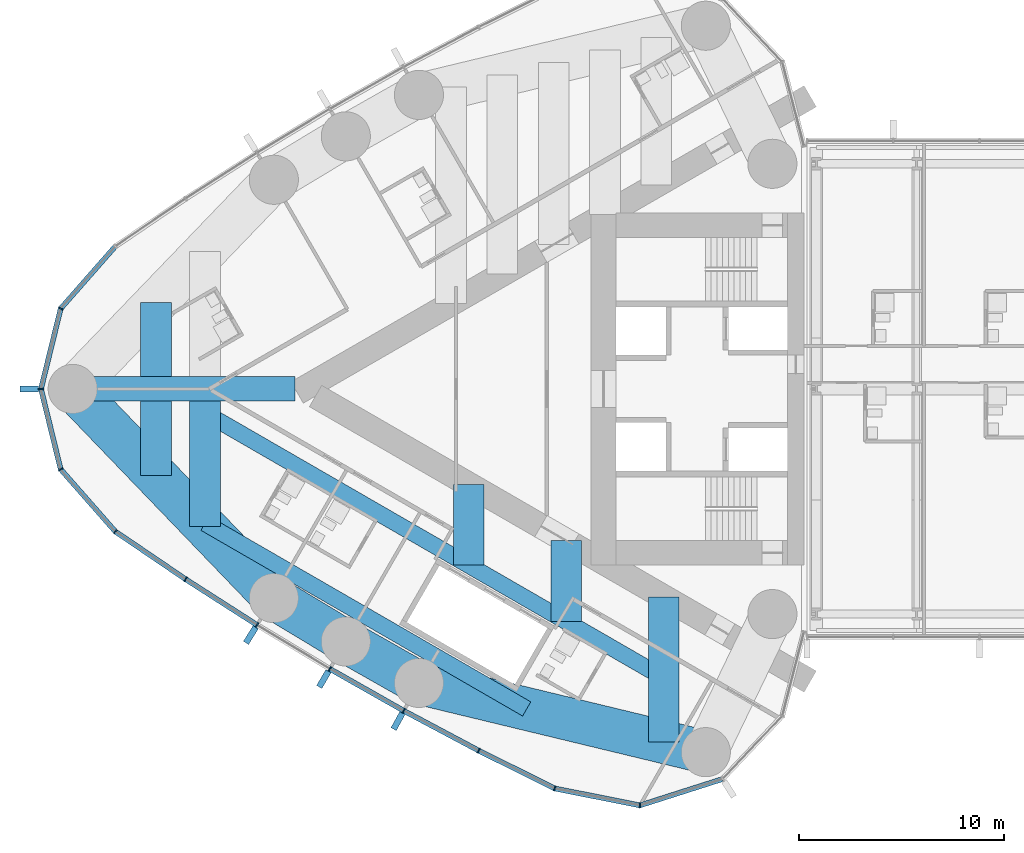
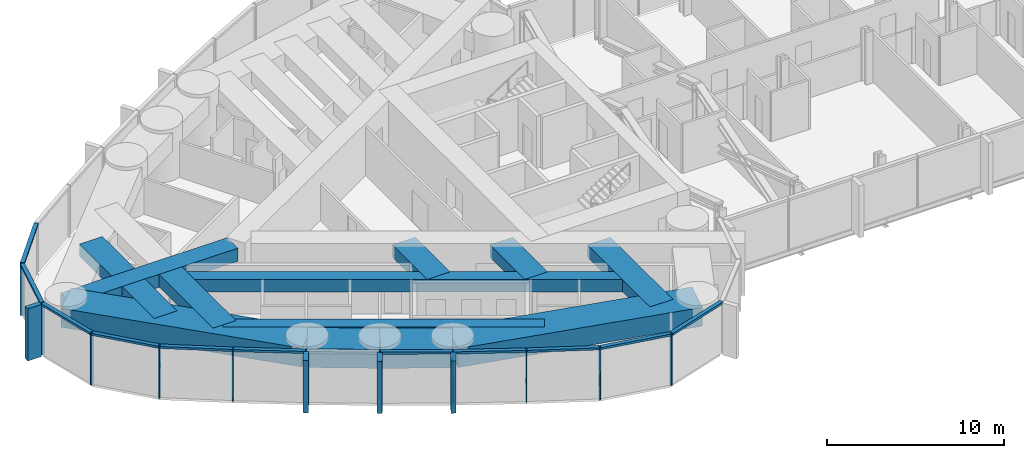
# One storey, part 2 of 22: 26 members, 13 beams, 1 element without a shape of its own.
"""IFC4 building model written with IfcOpenShell, lengths in metres."""

from ifc_helpers import new_model, si_unit, direction, frame, origin, origin_2d, place, context, subcontext, project, spatial, rectangle, hollow_rectangle, extrude, material, material_profile, profile_set, type_object, element, aggregate, save


model = new_model("IFC4")

# Units and contexts
model_context = context("Model", 3, precision=1e-05, world=origin(), true_north=direction((0.0, 1.0)))
body_context = subcontext(model_context, "Body", "Model", "MODEL_VIEW")
ifc_project = project(units=[si_unit("LENGTHUNIT", "METRE"), si_unit("AREAUNIT", "SQUARE_METRE"), si_unit("VOLUMEUNIT", "CUBIC_METRE"), si_unit("PLANEANGLEUNIT", "RADIAN"), si_unit("MASSUNIT", "GRAM", prefix="KILO")], contexts=[model_context])

# Site, building, storey
site_placement = place(None, origin())
site = spatial("IfcSite", under=ifc_project, at=site_placement, CompositionType="ELEMENT")
building_placement = place(site_placement, origin())
building = spatial("IfcBuilding", under=site, at=building_placement, Name="Lancet Gate Hotel", CompositionType="ELEMENT")
storey_placement = place(building_placement, frame((0.0, 0.0, 233.300048828125)))
storey = spatial("IfcBuildingStorey", under=building, at=storey_placement, Name="L62", CompositionType="ELEMENT", Elevation=233.300048828125)

# Curtain wall, members
ifc_material_1 = material(Name="Aluminium curtain wall", Category="aluminium")
curtain_wall_type = type_object("IfcCurtainWallType", Name="Tower unitised curtain wall", PredefinedType="USERDEFINED", material=ifc_material_1)
curtain_wall_placement = place(storey_placement, origin())
curtain_wall = element("IfcCurtainWall", 1, at=curtain_wall_placement, inside=storey, type_object=curtain_wall_type, Name="T1 L62 curtain wall 1", ObjectType="UNITISED CURTAIN WALL", PredefinedType="USERDEFINED")
ifc_material_2 = material(Name="Aluminium mullion", Category="aluminium")
ifc_material_profile_1 = material_profile(ifc_material_2, rectangle(XDim=0.06494140625, YDim=0.25, at=origin_2d()), Name="MULLION 65x250")
ifc_profile_set_1 = profile_set([ifc_material_profile_1], Name="Aluminium mullion")
member_type_1 = type_object("IfcMemberType", Name="Aluminium mullion 65x250", PredefinedType="MULLION", material=ifc_profile_set_1)
member_1_placement = place(storey_placement, frame((-63.822021484375, 3.928466796875, 0.0), z_axis=(0.0, 0.0, 1.0), x_axis=(-0.46217799743, -0.886787177789, 0.0)))
member_1 = element("IfcMember", 2, at=member_1_placement, type_object=member_type_1, Name="T1 L62 curtain wall 1 mullion 12", PredefinedType="MULLION", context=body_context, shape_type="SweptSolid", body=[
    extrude(rectangle(XDim=0.06494140625, YDim=0.25, at=origin_2d()), origin(), (0.0, 0.0, 1.0), 3.599853515625),
])
member_2_placement = place(storey_placement, frame((-64.7841796875, 0.0, 0.0), z_axis=(0.0, 0.0, 1.0), x_axis=(0.0, -1.0, 0.0)))
member_2 = element("IfcMember", 3, at=member_2_placement, type_object=member_type_1, Name="T1 L62 curtain wall 1 mullion 13", PredefinedType="MULLION", context=body_context, shape_type="SweptSolid", body=[
    extrude(rectangle(XDim=0.06494140625, YDim=0.25, at=origin_2d()), origin(), (0.0, 0.0, 1.0), 3.599853515625),
])
member_3_placement = place(storey_placement, frame((-63.822021484375, -3.928466796875, 0.0), z_axis=(0.0, 0.0, 1.0), x_axis=(0.46217799743, -0.886787177789, 0.0)))
member_3 = element("IfcMember", 4, at=member_3_placement, type_object=member_type_1, Name="T1 L62 curtain wall 1 mullion 14", PredefinedType="MULLION", context=body_context, shape_type="SweptSolid", body=[
    extrude(rectangle(XDim=0.06494140625, YDim=0.25, at=origin_2d()), origin(), (0.0, 0.0, 1.0), 3.599853515625),
])
member_4_placement = place(storey_placement, frame((-61.15283203125, -6.967529296875, 0.0), z_axis=(0.0, 0.0, 1.0), x_axis=(0.750715604757, -0.660625522345, 0.0)))
member_4 = element("IfcMember", 5, at=member_4_placement, type_object=member_type_1, Name="T1 L62 curtain wall 1 mullion 15", PredefinedType="MULLION", context=body_context, shape_type="SweptSolid", body=[
    extrude(rectangle(XDim=0.06494140625, YDim=0.25, at=origin_2d()), origin(), (0.0, 0.0, 1.0), 3.599853515625),
])
member_5_placement = place(storey_placement, frame((-57.72021484375, -9.298095703125, 0.0), z_axis=(0.0, 0.0, 1.0), x_axis=(0.834827178542, -0.550512108829, 0.0)))
member_5 = element("IfcMember", 6, at=member_5_placement, type_object=member_type_1, Name="T1 L62 curtain wall 1 mullion 16", PredefinedType="MULLION", context=body_context, shape_type="SweptSolid", body=[
    extrude(rectangle(XDim=0.06494140625, YDim=0.25, at=origin_2d()), origin(), (0.0, 0.0, 1.0), 3.599853515625),
])
member_6_placement = place(storey_placement, frame((-54.225830078125, -11.535400390625, 0.0), z_axis=(0.0, 0.0, 1.0), x_axis=(0.849342388216, -0.527842313176, 0.0)))
member_6 = element("IfcMember", 7, at=member_6_placement, type_object=member_type_1, Name="T1 L62 curtain wall 1 mullion 17", PredefinedType="MULLION", context=body_context, shape_type="SweptSolid", body=[
    extrude(rectangle(XDim=0.06494140625, YDim=0.25, at=origin_2d()), origin(), (0.0, 0.0, 1.0), 3.599853515625),
])
member_7_placement = place(storey_placement, frame((-50.67236328125, -13.677978515625, 0.0), z_axis=(0.0, 0.0, 1.0), x_axis=(0.863242155108, -0.504790037189, 0.0)))
member_7 = element("IfcMember", 8, at=member_7_placement, type_object=member_type_1, Name="T1 L62 curtain wall 1 mullion 18", PredefinedType="MULLION", context=body_context, shape_type="SweptSolid", body=[
    extrude(rectangle(XDim=0.06494140625, YDim=0.25, at=origin_2d()), origin(), (0.0, 0.0, 1.0), 3.599853515625),
])
member_8_placement = place(storey_placement, frame((-47.062744140625, -15.72412109375, 0.0), z_axis=(0.0, 0.0, 1.0), x_axis=(0.876516407283, -0.481371984815, 0.0)))
member_8 = element("IfcMember", 9, at=member_8_placement, type_object=member_type_1, Name="T1 L62 curtain wall 1 mullion 19", PredefinedType="MULLION", context=body_context, shape_type="SweptSolid", body=[
    extrude(rectangle(XDim=0.06494140625, YDim=0.25, at=origin_2d()), origin(), (0.0, 0.0, 1.0), 3.599853515625),
])
member_9_placement = place(storey_placement, frame((-43.3994140625, -17.67236328125, 0.0), z_axis=(0.0, 0.0, 1.0), x_axis=(0.889155526065, -0.457605125046, 0.0)))
member_9 = element("IfcMember", 10, at=member_9_placement, type_object=member_type_1, Name="T1 L62 curtain wall 1 mullion 20", PredefinedType="MULLION", context=body_context, shape_type="SweptSolid", body=[
    extrude(rectangle(XDim=0.06494140625, YDim=0.25, at=origin_2d()), origin(), (0.0, 0.0, 1.0), 3.599853515625),
])
member_10_placement = place(storey_placement, frame((-39.684814453125, -19.521240234375, 0.0), z_axis=(0.0, 0.0, 1.0), x_axis=(0.946887706423, -0.321564412561, 0.0)))
member_10 = element("IfcMember", 11, at=member_10_placement, type_object=member_type_1, Name="T1 L62 curtain wall 1 mullion 21", PredefinedType="MULLION", context=body_context, shape_type="SweptSolid", body=[
    extrude(rectangle(XDim=0.06494140625, YDim=0.25, at=origin_2d()), origin(), (0.0, 0.0, 1.0), 3.599853515625),
])
member_11_placement = place(storey_placement, frame((-35.520751953125, -20.347900390625, 0.0), z_axis=(0.0, 0.0, 1.0), x_axis=(0.998409168318, 0.056383797491, 0.0)))
member_11 = element("IfcMember", 12, at=member_11_placement, type_object=member_type_1, Name="T1 L62 curtain wall 1 mullion 22", PredefinedType="MULLION", context=body_context, shape_type="SweptSolid", body=[
    extrude(rectangle(XDim=0.06494140625, YDim=0.25, at=origin_2d()), origin(), (0.0, 0.0, 1.0), 3.599853515625),
])
ifc_material_3 = material(Name="Aluminium transom", Category="aluminium")
ifc_material_profile_2 = material_profile(ifc_material_3, rectangle(XDim=0.25, YDim=0.14990234375, at=origin_2d()), Name="TRANSOM 250x150")
ifc_profile_set_2 = profile_set([ifc_material_profile_2], Name="Aluminium transom")
member_type_2 = type_object("IfcMemberType", Name="Aluminium transom 250x150", PredefinedType="USERDEFINED", material=ifc_profile_set_2)
member_12_placement = place(storey_placement, frame((-61.17431640625, 6.943115234375, 3.52490234375), z_axis=(-0.659893258593, -0.751359359603, 0.0), x_axis=(0.751359359603, -0.659893258593, 0.0)))
member_12 = element("IfcMember", 13, at=member_12_placement, type_object=member_type_2, Name="T1 L62 curtain wall 1 transom 11", ObjectType="TRANSOM", PredefinedType="USERDEFINED", context=body_context, shape_type="SweptSolid", body=[
    extrude(rectangle(XDim=0.25, YDim=0.14990234375, at=origin_2d()), origin(), (0.0, 0.0, 1.0), 3.979736328125),
])
member_13_placement = place(storey_placement, frame((-63.829833984375, 3.89697265625, 3.52490234375), z_axis=(-0.237899438372, -0.971289790548, 0.0), x_axis=(0.971289790548, -0.237899438372, 0.0)))
member_13 = element("IfcMember", 14, at=member_13_placement, type_object=member_type_2, Name="T1 L62 curtain wall 1 transom 12", ObjectType="TRANSOM", PredefinedType="USERDEFINED", context=body_context, shape_type="SweptSolid", body=[
    extrude(rectangle(XDim=0.25, YDim=0.14990234375, at=origin_2d()), origin(), (0.0, 0.0, 1.0), 3.979736328125),
])
member_14_placement = place(storey_placement, frame((-64.776611328125, -0.031494140625, 3.52490234375), z_axis=(0.237899438372, -0.971289790548, 0.0), x_axis=(0.971289790548, 0.237899438372, 0.0)))
member_14 = element("IfcMember", 15, at=member_14_placement, type_object=member_type_2, Name="T1 L62 curtain wall 1 transom 13", ObjectType="TRANSOM", PredefinedType="USERDEFINED", context=body_context, shape_type="SweptSolid", body=[
    extrude(rectangle(XDim=0.25, YDim=0.14990234375, at=origin_2d()), origin(), (0.0, 0.0, 1.0), 3.979736328125),
])
member_15_placement = place(storey_placement, frame((-63.800537109375, -3.952880859375, 3.52490234375), z_axis=(0.659893258593, -0.751359359603, 0.0), x_axis=(0.751359359603, 0.659893258593, 0.0)))
member_15 = element("IfcMember", 16, at=member_15_placement, type_object=member_type_2, Name="T1 L62 curtain wall 1 transom 14", ObjectType="TRANSOM", PredefinedType="USERDEFINED", context=body_context, shape_type="SweptSolid", body=[
    extrude(rectangle(XDim=0.25, YDim=0.14990234375, at=origin_2d()), origin(), (0.0, 0.0, 1.0), 3.979736328125),
])
member_16_placement = place(storey_placement, frame((-61.1259765625, -6.98583984375, 3.52490234375), z_axis=(0.827348780456, -0.561688521761, 0.0), x_axis=(0.561688521761, 0.827348780456, 0.0)))
member_16 = element("IfcMember", 17, at=member_16_placement, type_object=member_type_2, Name="T1 L62 curtain wall 1 transom 15", ObjectType="TRANSOM", PredefinedType="USERDEFINED", context=body_context, shape_type="SweptSolid", body=[
    extrude(rectangle(XDim=0.25, YDim=0.14990234375, at=origin_2d()), origin(), (0.0, 0.0, 1.0), 4.083984375),
])
member_17_placement = place(storey_placement, frame((-57.692626953125, -9.315673828125, 3.52490234375), z_axis=(0.842144358733, -0.539252147937, 0.0), x_axis=(0.539252147937, 0.842144358733, 0.0)))
member_17 = element("IfcMember", 18, at=member_17_placement, type_object=member_type_2, Name="T1 L62 curtain wall 1 transom 16", ObjectType="TRANSOM", PredefinedType="USERDEFINED", context=body_context, shape_type="SweptSolid", body=[
    extrude(rectangle(XDim=0.25, YDim=0.14990234375, at=origin_2d()), origin(), (0.0, 0.0, 1.0), 4.084228515625),
])
member_18_placement = place(storey_placement, frame((-50.644287109375, -13.694091796875, 3.52490234375), z_axis=(0.869977740049, -0.493090997503, 0.0), x_axis=(0.493090997503, 0.869977740049, 0.0)))
member_18 = element("IfcMember", 19, at=member_18_placement, type_object=member_type_2, Name="T1 L62 curtain wall 1 transom 18", ObjectType="TRANSOM", PredefinedType="USERDEFINED", context=body_context, shape_type="SweptSolid", body=[
    extrude(rectangle(XDim=0.25, YDim=0.14990234375, at=origin_2d()), origin(), (0.0, 0.0, 1.0), 4.084228515625),
])
member_19_placement = place(storey_placement, frame((-47.0341796875, -15.739501953125, 3.52490234375), z_axis=(0.882944619844, -0.469477154171, 0.0), x_axis=(0.469477154171, 0.882944619844, 0.0)))
member_19 = element("IfcMember", 20, at=member_19_placement, type_object=member_type_2, Name="T1 L62 curtain wall 1 transom 19", ObjectType="TRANSOM", PredefinedType="USERDEFINED", context=body_context, shape_type="SweptSolid", body=[
    extrude(rectangle(XDim=0.25, YDim=0.14990234375, at=origin_2d()), origin(), (0.0, 0.0, 1.0), 4.084228515625),
])
member_20_placement = place(storey_placement, frame((-43.370361328125, -17.686767578125, 3.52490234375), z_axis=(0.895226720479, -0.445610950202, 0.0), x_axis=(0.445610950202, 0.895226720479, 0.0)))
member_20 = element("IfcMember", 21, at=member_20_placement, type_object=member_type_2, Name="T1 L62 curtain wall 1 transom 20", ObjectType="TRANSOM", PredefinedType="USERDEFINED", context=body_context, shape_type="SweptSolid", body=[
    extrude(rectangle(XDim=0.25, YDim=0.14990234375, at=origin_2d()), origin(), (0.0, 0.0, 1.0), 4.08447265625),
])
member_21_placement = place(storey_placement, frame((-39.65283203125, -19.527587890625, 3.52490234375), z_axis=(0.980858234867, -0.194723196085, 0.0), x_axis=(0.194723196085, 0.980858234867, 0.0)))
member_21 = element("IfcMember", 22, at=member_21_placement, type_object=member_type_2, Name="T1 L62 curtain wall 1 transom 21", ObjectType="TRANSOM", PredefinedType="USERDEFINED", context=body_context, shape_type="SweptSolid", body=[
    extrude(rectangle(XDim=0.25, YDim=0.14990234375, at=origin_2d()), origin(), (0.0, 0.0, 1.0), 4.18017578125),
])
member_22_placement = place(storey_placement, frame((-35.48974609375, -20.338134765625, 3.52490234375), z_axis=(0.952697713775, 0.303919506068, 0.0), x_axis=(-0.303919506068, 0.952697713775, 0.0)))
member_22 = element("IfcMember", 23, at=member_22_placement, type_object=member_type_2, Name="T1 L62 curtain wall 1 transom 22", ObjectType="TRANSOM", PredefinedType="USERDEFINED", context=body_context, shape_type="SweptSolid", body=[
    extrude(rectangle(XDim=0.25, YDim=0.14990234375, at=origin_2d()), origin(), (0.0, 0.0, 1.0), 4.180419921875),
])

# Beams
ifc_material_4 = material(Name="Concrete C50/60", Category="concrete")
ifc_material_profile_3 = material_profile(ifc_material_4, rectangle(XDim=2.10009765625, YDim=1.300048828125, at=origin_2d()), Name="RC 2100x1300")
ifc_profile_set_3 = profile_set([ifc_material_profile_3], Name="Concrete C50/60")
beam_type_1 = type_object("IfcBeamType", Name="Edge beam RC 2100x1300", PredefinedType="SPANDREL", material=ifc_profile_set_3)
beam_1_placement = place(storey_placement, frame((-63.234375, 0.0, 2.699951171875), z_axis=(0.693134527053, -0.720808245934, 0.0), x_axis=(0.720808245934, 0.693134527053, 0.0)))
element("IfcBeam", 24, at=beam_1_placement, inside=storey, type_object=beam_type_1, Name="T1 edge beam EB1 L62", PredefinedType="SPANDREL", context=body_context, shape_type="SweptSolid", body=[
    extrude(rectangle(XDim=2.10009765625, YDim=1.300048828125, at=origin_2d()), origin(), (0.0, 0.0, 1.0), 14.17724609375),
])
for number, where, z_axis, x_axis, name in (
    (25, (-53.40771484375, -10.218994140625, 2.699951171875), (0.856358061538, -0.516382484636, 0.0), (0.516382484636, 0.856358061538, 0.0), "T1 edge beam EB1 L62"),
    (26, (-49.89013671875, -12.340087890625, 2.699951171875), (0.869978841992, -0.493089053301, 0.0), (0.493089053301, 0.869978841992, 0.0), "T1 edge beam EB1 L62"),
):
    element("IfcBeam", number, at=place(storey_placement, frame(where, z_axis=z_axis, x_axis=x_axis)), inside=storey, type_object=beam_type_1, Name=name, PredefinedType="SPANDREL", context=body_context, shape_type="SweptSolid", body=[
        extrude(rectangle(XDim=2.10009765625, YDim=1.300048828125, at=origin_2d()), origin(), (0.0, 0.0, 1.0), 4.107666015625),
    ])
beam_2_placement = place(storey_placement, frame((-46.316650390625, -14.365478515625, 2.699951171875), z_axis=(0.972132796948, -0.234430853556, 0.0), x_axis=(0.234430853556, 0.972132796948, 0.0)))
element("IfcBeam", 27, at=beam_2_placement, inside=storey, type_object=beam_type_1, Name="T1 edge beam EB1 L62", PredefinedType="SPANDREL", context=body_context, shape_type="SweptSolid", body=[
    extrude(rectangle(XDim=2.10009765625, YDim=1.300048828125, at=origin_2d()), origin(), (0.0, 0.0, 1.0), 14.41748046875),
])

# Member
ifc_material_5 = material(Name="Precast concrete C50/60", Category="concrete")
ifc_material_profile_4 = material_profile(ifc_material_5, rectangle(XDim=0.300048828125, YDim=0.89990234375, at=origin_2d()), Name="FIN 300x900")
ifc_profile_set_4 = profile_set([ifc_material_profile_4], Name="Precast concrete C50/60")
member_type_3 = type_object("IfcMemberType", Name="Exposed concrete fin 300x900", PredefinedType="USERDEFINED", material=ifc_profile_set_4)
member_23_placement = place(storey_placement, frame((-65.359375, 0.0, 0.0), z_axis=(0.0, 0.0, 1.0), x_axis=(0.0, -1.0, 0.0)))
member_23 = element("IfcMember", 28, at=member_23_placement, type_object=member_type_3, Name="T1 L62 curtain wall 1 fin 13", ObjectType="FIN", PredefinedType="USERDEFINED", context=body_context, shape_type="SweptSolid", body=[
    extrude(rectangle(XDim=0.300048828125, YDim=0.89990234375, at=origin_2d()), origin(), (0.0, 0.0, 1.0), 3.599853515625),
])

member_24_placement = place(storey_placement, frame((-54.529296875, -12.02392578125, 0.0), z_axis=(0.0, 0.0, 1.0), x_axis=(0.849342388216, -0.527842313176, 0.0)))
member_24 = element("IfcMember", 29, at=member_24_placement, type_object=member_type_3, Name="T1 L62 curtain wall 1 fin 17", ObjectType="FIN", PredefinedType="USERDEFINED", context=body_context, shape_type="SweptSolid", body=[
    extrude(rectangle(XDim=0.300048828125, YDim=0.89990234375, at=origin_2d()), origin(), (0.0, 0.0, 1.0), 3.599853515625),
])

member_25_placement = place(storey_placement, frame((-50.962646484375, -14.17431640625, 0.0), z_axis=(0.0, 0.0, 1.0), x_axis=(0.863242155108, -0.504790037189, 0.0)))
member_25 = element("IfcMember", 30, at=member_25_placement, type_object=member_type_3, Name="T1 L62 curtain wall 1 fin 18", ObjectType="FIN", PredefinedType="USERDEFINED", context=body_context, shape_type="SweptSolid", body=[
    extrude(rectangle(XDim=0.300048828125, YDim=0.89990234375, at=origin_2d()), origin(), (0.0, 0.0, 1.0), 3.599853515625),
])

member_26_placement = place(storey_placement, frame((-47.339599609375, -16.22802734375, 0.0), z_axis=(0.0, 0.0, 1.0), x_axis=(0.876516407283, -0.481371984815, 0.0)))
member_26 = element("IfcMember", 31, at=member_26_placement, type_object=member_type_3, Name="T1 L62 curtain wall 1 fin 19", ObjectType="FIN", PredefinedType="USERDEFINED", context=body_context, shape_type="SweptSolid", body=[
    extrude(rectangle(XDim=0.300048828125, YDim=0.89990234375, at=origin_2d()), origin(), (0.0, 0.0, 1.0), 3.599853515625),
])

aggregate(curtain_wall, [member_1, member_2, member_23, member_3, member_4, member_5, member_6, member_24, member_7, member_25, member_8, member_26, member_9, member_10, member_11, member_12, member_13, member_14, member_15, member_16, member_17, member_18, member_19, member_20, member_21, member_22])

# Beams
ifc_material_6 = material(Name="Concrete C50/60", Category="concrete")
ifc_material_profile_5 = material_profile(ifc_material_6, rectangle(XDim=1.5, YDim=0.85009765625, at=origin_2d()), Name="RC 1500x850")
ifc_profile_set_5 = profile_set([ifc_material_profile_5], Name="Concrete C50/60")
beam_type_2 = type_object("IfcBeamType", Name="Floor beam RC 1500x850", PredefinedType="BEAM", material=ifc_profile_set_5)
beam_3_placement = place(storey_placement, frame((-34.353515625, -10.169921875, 2.925048828125), z_axis=(0.0, -1.0, 0.0), x_axis=(1.0, 0.0, 0.0)))
element("IfcBeam", 32, at=beam_3_placement, inside=storey, type_object=beam_type_2, Name="T1 floor beam F01N L62", PredefinedType="BEAM", context=body_context, shape_type="SweptSolid", body=[
    extrude(rectangle(XDim=1.5, YDim=0.85009765625, at=origin_2d()), origin(), (0.0, 0.0, 1.0), 7.08056640625),
])
beam_4_placement = place(storey_placement, frame((-56.768310546875, -0.60009765625, 2.925048828125), z_axis=(0.0, -1.0, 0.0), x_axis=(1.0, 0.0, 0.0)))
element("IfcBeam", 33, at=beam_4_placement, inside=storey, type_object=beam_type_2, Name="T1 floor beam F10N L62", PredefinedType="BEAM", context=body_context, shape_type="SweptSolid", body=[
    extrude(rectangle(XDim=1.5, YDim=0.85009765625, at=origin_2d()), origin(), (0.0, 0.0, 1.0), 6.1240234375),
])
for number, where, z_axis, x_axis, name in (
    (34, (-59.168212890625, 4.228271484375, 2.925048828125), (0.0, -1.0, 0.0), (1.0, 0.0, 0.0), "T1 floor beam F11S L62"),
    (35, (-59.168212890625, -0.60009765625, 2.925048828125), (0.0, -1.0, 0.0), (1.0, 0.0, 0.0), "T1 floor beam F12N L62"),
):
    element("IfcBeam", number, at=place(storey_placement, frame(where, z_axis=z_axis, x_axis=x_axis)), inside=storey, type_object=beam_type_2, Name=name, PredefinedType="BEAM", context=body_context, shape_type="SweptSolid", body=[
        extrude(rectangle(XDim=1.5, YDim=0.85009765625, at=origin_2d()), origin(), (0.0, 0.0, 1.0), 3.628173828125),
    ])
for number, where, z_axis, x_axis, name in (
    (36, (-39.122314453125, -7.41650390625, 2.925048828125), (0.0, -1.0, 0.0), (1.0, 0.0, 0.0), "T1 floor beam F04NA L62"),
    (37, (-43.891357421875, -4.663330078125, 2.925048828125), (0.0, -1.0, 0.0), (1.0, 0.0, 0.0), "T1 floor beam F07NA L62"),
):
    element("IfcBeam", number, at=place(storey_placement, frame(where, z_axis=z_axis, x_axis=x_axis)), inside=storey, type_object=beam_type_2, Name=name, PredefinedType="BEAM", context=body_context, shape_type="SweptSolid", body=[
        extrude(rectangle(XDim=1.5, YDim=0.85009765625, at=origin_2d()), origin(), (0.0, 0.0, 1.0), 3.945556640625),
    ])
ifc_material_7 = material(Name="Concrete C50/60", Category="concrete")
ifc_material_profile_6 = material_profile(ifc_material_7, rectangle(XDim=1.199951171875, YDim=0.89990234375, at=origin_2d()), Name="RC 1200x900")
ifc_profile_set_6 = profile_set([ifc_material_profile_6], Name="Concrete C50/60")
beam_type_3 = type_object("IfcBeamType", Name="Radial floor beam RC 1200x900", PredefinedType="BEAM", material=ifc_profile_set_6)
beam_5_placement = place(storey_placement, frame((-63.234375, 0.0, 2.89990234375), z_axis=(1.0, 0.0, 0.0), x_axis=(0.0, 1.0, 0.0)))
element("IfcBeam", 38, at=beam_5_placement, inside=storey, type_object=beam_type_3, Name="T1 radial beam CA L62", PredefinedType="BEAM", context=body_context, shape_type="SweptSolid", body=[
    extrude(rectangle(XDim=1.199951171875, YDim=0.89990234375, at=origin_2d()), origin(), (0.0, 0.0, 1.0), 10.8662109375),
])
ifc_material_8 = material(Name="Steel S460QL", Category="steel")
ifc_material_profile_7 = material_profile(ifc_material_8, hollow_rectangle(XDim=0.800048828125, YDim=0.85009765625, WallThickness=0.080078125, at=origin_2d()), Name="BOX 850x800x80")
ifc_profile_set_7 = profile_set([ifc_material_profile_7], Name="Steel S460QL")
beam_type_4 = type_object("IfcBeamType", Name="Trimmer beam BOX 850x800x80", PredefinedType="BEAM", material=ifc_profile_set_7)
beam_6_placement = place(storey_placement, frame((-34.353515625, -14.115234375, 2.925048828125), z_axis=(-0.866038088301, 0.499978029129, 0.0), x_axis=(-0.499978029129, -0.866038088301, 0.0)))
element("IfcBeam", 39, at=beam_6_placement, inside=storey, type_object=beam_type_4, Name="T1 trimmer beam TR01N L62", PredefinedType="BEAM", context=body_context, shape_type="SweptSolid", body=[
    extrude(hollow_rectangle(XDim=0.800048828125, YDim=0.85009765625, WallThickness=0.080078125, at=origin_2d()), origin(), (0.0, 0.0, 1.0), 25.882080078125),
])
beam_7_placement = place(storey_placement, frame((-41.05322265625, -15.634765625, 2.925048828125), z_axis=(-0.866039732055, 0.499975181887, 0.0), x_axis=(-0.499975181887, -0.866039732055, 0.0)))
element("IfcBeam", 40, at=beam_7_placement, inside=storey, type_object=beam_type_4, Name="T1 trimmer beam TR02N L62", PredefinedType="BEAM", context=body_context, shape_type="SweptSolid", body=[
    extrude(hollow_rectangle(XDim=0.800048828125, YDim=0.85009765625, WallThickness=0.080078125, at=origin_2d()), origin(), (0.0, 0.0, 1.0), 18.14599609375),
])

save(model, "model.ifc")
